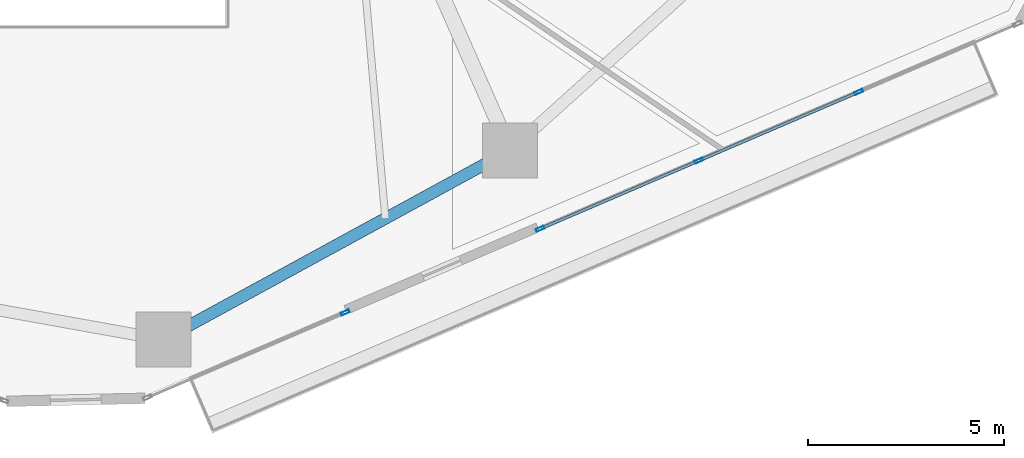
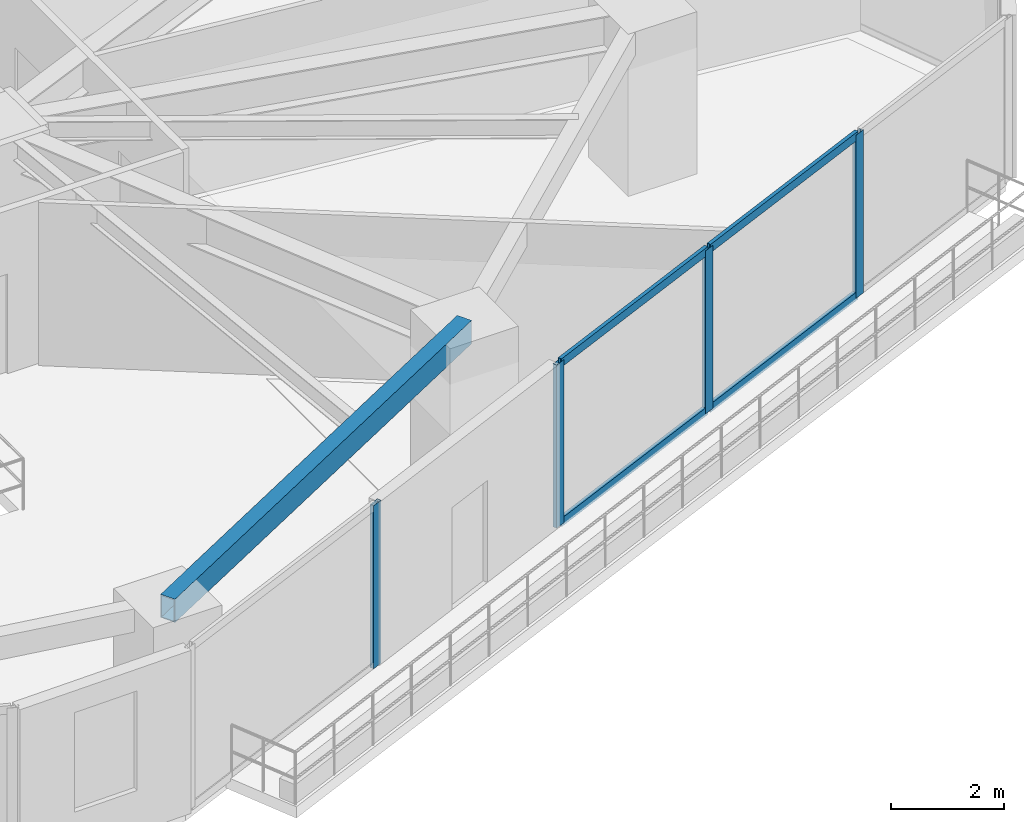
# One storey, part 8 of 23: 8 members, 1 beam, 2 elements without a shape of their own.
"""IFC4 building model written with IfcOpenShell, lengths in metres."""

from ifc_helpers import new_model, si_unit, direction, frame, origin, origin_2d, place, context, subcontext, project, spatial, hollow_rectangle, extrude, source, transform, mapped, material, layer, layer_set, material_profile, profile_set, type_object, type_shapes, element, aggregate, save


model = new_model("IFC4")

# Units and contexts
model_context = context("Model", 3, precision=1e-05, world=origin(), true_north=direction((0.0, 1.0)))
body_context = subcontext(model_context, "Body", "Model", "MODEL_VIEW")
ifc_project = project(units=[si_unit("LENGTHUNIT", "METRE"), si_unit("AREAUNIT", "SQUARE_METRE"), si_unit("VOLUMEUNIT", "CUBIC_METRE"), si_unit("PLANEANGLEUNIT", "RADIAN"), si_unit("MASSUNIT", "GRAM", prefix="KILO")], contexts=[model_context])

# Site, building, storey
site_placement = place(None, origin())
site = spatial("IfcSite", under=ifc_project, at=site_placement, CompositionType="ELEMENT")
building_placement = place(site_placement, origin())
building = spatial("IfcBuilding", under=site, at=building_placement, Name="Talar Marvaseh", CompositionType="ELEMENT")
storey_placement = place(building_placement, frame((0.0, 0.0, 27.800048828125)))
storey = spatial("IfcBuildingStorey", under=building, at=storey_placement, Name="L06", CompositionType="ELEMENT", Elevation=27.800048828125)

# Beam
ifc_material_1 = material(Name="Steel S355", Category="steel")
ifc_material_profile_1 = material_profile(ifc_material_1, hollow_rectangle(XDim=0.300048828125, YDim=0.5, WallThickness=0.02001953125, at=origin_2d()), Name="RHS500x300x20")
ifc_profile_set_1 = profile_set([ifc_material_profile_1], Name="Steel S355")
beam_type = type_object("IfcBeamType", Name="Zone 1 Perimeter Spandrel Beam RHS500x300x20", PredefinedType="SPANDREL", material=ifc_profile_set_1)
beam_placement = place(storey_placement, frame((37.468017578125, 16.02099609375, 3.27001953125), z_axis=(-0.877792749602, -0.47904059196, 0.0), x_axis=(0.47904059196, -0.877792749602, 0.0)))
element("IfcBeam", 1, at=beam_placement, inside=storey, type_object=beam_type, Name="L06 Zone 1 Perimeter Spandrel Beam RHS500x300x20", PredefinedType="SPANDREL", context=body_context, shape_type="SweptSolid", body=[
    extrude(hollow_rectangle(XDim=0.300048828125, YDim=0.5, WallThickness=0.02001953125, at=origin_2d()), origin(), (0.0, 0.0, 1.0), 10.07421875),
])

# Curtain wall, members
ifc_material_2 = material(Name="Architectural Aluminium", Category="aluminium")
ifc_layer = layer(ifc_material_2, 0.219970703125)
ifc_layer_set = layer_set([ifc_layer], Name="Architectural Aluminium")
curtain_wall_type = type_object("IfcCurtainWallType", Name="Unitised Low-E Museum Curtain Wall Z1", PredefinedType="NOTDEFINED", material=ifc_layer_set)
curtain_wall_1_placement = place(storey_placement, origin())
curtain_wall_1 = element("IfcCurtainWall", 2, at=curtain_wall_1_placement, inside=storey, type_object=curtain_wall_type, Name="L06 Unitised Low-E Museum Curtain Wall Z1", PredefinedType="NOTDEFINED")
ifc_material_profile_2 = material_profile(ifc_material_2, hollow_rectangle(XDim=0.080078125, YDim=0.219970703125, WallThickness=0.0048828125, at=origin_2d()), Name="RHS220x80x5")
ifc_profile_set_2 = profile_set([ifc_material_profile_2], Name="Architectural Aluminium")
member_type_1 = type_object("IfcMemberType", Name="Unitised Curtain Wall Heavy Mullion RHS220x80x5", PredefinedType="MULLION", material=ifc_profile_set_2)
shared_shape_1 = source(origin(), body_context, "Body", "SweptSolid", [
    extrude(hollow_rectangle(XDim=0.080078125, YDim=0.219970703125, WallThickness=0.0048828125, at=origin_2d()), origin(), (0.0, 0.0, 1.0), 3.52001953125),
])
type_shapes(member_type_1, [shared_shape_1])
member_1_placement = place(storey_placement, frame((46.35888671875, 17.509033203125, 0.0), z_axis=(0.0, 0.0, 1.0), x_axis=(0.394599418067, -0.918853252299, 0.0)))
member_1 = element("IfcMember", 3, at=member_1_placement, type_object=member_type_1, Name="CW-Z1 mullion 2", PredefinedType="MULLION", context=body_context, shape_type="MappedRepresentation", body=[
    mapped(shared_shape_1, transform((0.0, 0.0, 0.0), x_axis=(1.0, 0.0, 0.0), y_axis=(0.0, 1.0, 0.0), z_axis=(0.0, 0.0, 1.0), scale=1.0)),
])
member_2_placement = place(storey_placement, frame((42.27783203125, 15.75634765625, 0.0), z_axis=(0.0, 0.0, 1.0), x_axis=(0.394599418067, -0.918853252299, 0.0)))
member_2 = element("IfcMember", 4, at=member_2_placement, type_object=member_type_1, Name="CW-Z1 mullion 3", PredefinedType="MULLION", context=body_context, shape_type="MappedRepresentation", body=[
    mapped(shared_shape_1, transform((0.0, 0.0, 0.0), x_axis=(1.0, 0.0, 0.0), y_axis=(0.0, 1.0, 0.0), z_axis=(0.0, 0.0, 1.0), scale=1.0)),
])
member_3_placement = place(storey_placement, frame((38.2333984375, 14.01953125, 0.0), z_axis=(0.0, 0.0, 1.0), x_axis=(0.394599418067, -0.918853252299, 0.0)))
member_3 = element("IfcMember", 5, at=member_3_placement, type_object=member_type_1, Name="CW-Z1 mullion 4", PredefinedType="MULLION", context=body_context, shape_type="MappedRepresentation", body=[
    mapped(shared_shape_1, transform((0.0, 0.0, 0.0), x_axis=(1.0, 0.0, 0.0), y_axis=(0.0, 1.0, 0.0), z_axis=(0.0, 0.0, 1.0), scale=1.0)),
])

# Curtain wall, member
curtain_wall_2_placement = place(storey_placement, origin())
curtain_wall_2 = element("IfcCurtainWall", 6, at=curtain_wall_2_placement, inside=storey, type_object=curtain_wall_type, Name="L06 Unitised Low-E Museum Curtain Wall Z1", PredefinedType="NOTDEFINED")
member_4_placement = place(storey_placement, frame((33.262451171875, 11.884765625, 0.0), z_axis=(0.0, 0.0, 1.0), x_axis=(0.39460362478, -0.918851445725, 0.0)))
member_4 = element("IfcMember", 7, at=member_4_placement, type_object=member_type_1, Name="CW-Z1 mullion 1", PredefinedType="MULLION", context=body_context, shape_type="MappedRepresentation", body=[
    mapped(shared_shape_1, transform((0.0, 0.0, 0.0), x_axis=(1.0, 0.0, 0.0), y_axis=(0.0, 1.0, 0.0), z_axis=(0.0, 0.0, 1.0), scale=1.0)),
])
aggregate(curtain_wall_2, [member_4])

# Member
ifc_material_profile_3 = material_profile(ifc_material_2, hollow_rectangle(XDim=0.074951171875, YDim=0.179931640625, WallThickness=0.0048828125, at=origin_2d()), Name="RHS180x75x5")
ifc_profile_set_3 = profile_set([ifc_material_profile_3], Name="Architectural Aluminium")
member_type_2 = type_object("IfcMemberType", Name="Unitised Curtain Wall Transom RHS180x75x5", PredefinedType="USERDEFINED", material=ifc_profile_set_3)
shared_shape_2 = source(origin(), body_context, "Body", "SweptSolid", [
    extrude(hollow_rectangle(XDim=0.074951171875, YDim=0.179931640625, WallThickness=0.0048828125, at=origin_2d()), origin(), (0.0, 0.0, 1.0), 4.321533203125),
])
member_5_placement = place(storey_placement, frame((42.240966796875, 15.740478515625, 0.037353515625), z_axis=(-0.918852573899, -0.394600997767, 0.0), x_axis=(0.394600997767, -0.918852573899, 0.0)))
member_5 = element("IfcMember", 8, at=member_5_placement, type_object=member_type_2, Name="CW-Z1 transom 3.1", ObjectType="TRANSOM", PredefinedType="USERDEFINED", context=body_context, shape_type="MappedRepresentation", body=[
    mapped(shared_shape_2, transform((0.0, 0.0, 0.0), x_axis=(1.0, 0.0, 0.0), y_axis=(0.0, 1.0, 0.0), z_axis=(0.0, 0.0, 1.0), scale=1.0)),
])

member_6_placement = place(storey_placement, frame((42.240966796875, 15.740478515625, 3.482421875), z_axis=(-0.918852573899, -0.394600997767, 0.0), x_axis=(0.394600997767, -0.918852573899, 0.0)))
member_6 = element("IfcMember", 9, at=member_6_placement, type_object=member_type_2, Name="CW-Z1 transom 3.2", ObjectType="TRANSOM", PredefinedType="USERDEFINED", context=body_context, shape_type="MappedRepresentation", body=[
    mapped(shared_shape_2, transform((0.0, 0.0, 0.0), x_axis=(1.0, 0.0, 0.0), y_axis=(0.0, 1.0, 0.0), z_axis=(0.0, 0.0, 1.0), scale=1.0)),
])

shared_shape_3 = source(origin(), body_context, "Body", "SweptSolid", [
    extrude(hollow_rectangle(XDim=0.074951171875, YDim=0.179931640625, WallThickness=0.0048828125, at=origin_2d()), origin(), (0.0, 0.0, 1.0), 4.361572265625),
])
type_shapes(member_type_2, [shared_shape_2, shared_shape_3])
member_7_placement = place(storey_placement, frame((46.322021484375, 17.4931640625, 0.037353515625), z_axis=(-0.918861046521, -0.394581268165, 0.0), x_axis=(0.394581268165, -0.918861046521, 0.0)))
member_7 = element("IfcMember", 10, at=member_7_placement, type_object=member_type_2, Name="CW-Z1 transom 2.1", ObjectType="TRANSOM", PredefinedType="USERDEFINED", context=body_context, shape_type="MappedRepresentation", body=[
    mapped(shared_shape_3, transform((0.0, 0.0, 0.0), x_axis=(1.0, 0.0, 0.0), y_axis=(0.0, 1.0, 0.0), z_axis=(0.0, 0.0, 1.0), scale=1.0)),
])

member_8_placement = place(storey_placement, frame((46.322021484375, 17.4931640625, 3.482421875), z_axis=(-0.918861046521, -0.394581268165, 0.0), x_axis=(0.394581268165, -0.918861046521, 0.0)))
member_8 = element("IfcMember", 11, at=member_8_placement, type_object=member_type_2, Name="CW-Z1 transom 2.2", ObjectType="TRANSOM", PredefinedType="USERDEFINED", context=body_context, shape_type="MappedRepresentation", body=[
    mapped(shared_shape_3, transform((0.0, 0.0, 0.0), x_axis=(1.0, 0.0, 0.0), y_axis=(0.0, 1.0, 0.0), z_axis=(0.0, 0.0, 1.0), scale=1.0)),
])

aggregate(curtain_wall_1, [member_1, member_2, member_3, member_7, member_8, member_5, member_6])

save(model, "model.ifc")
